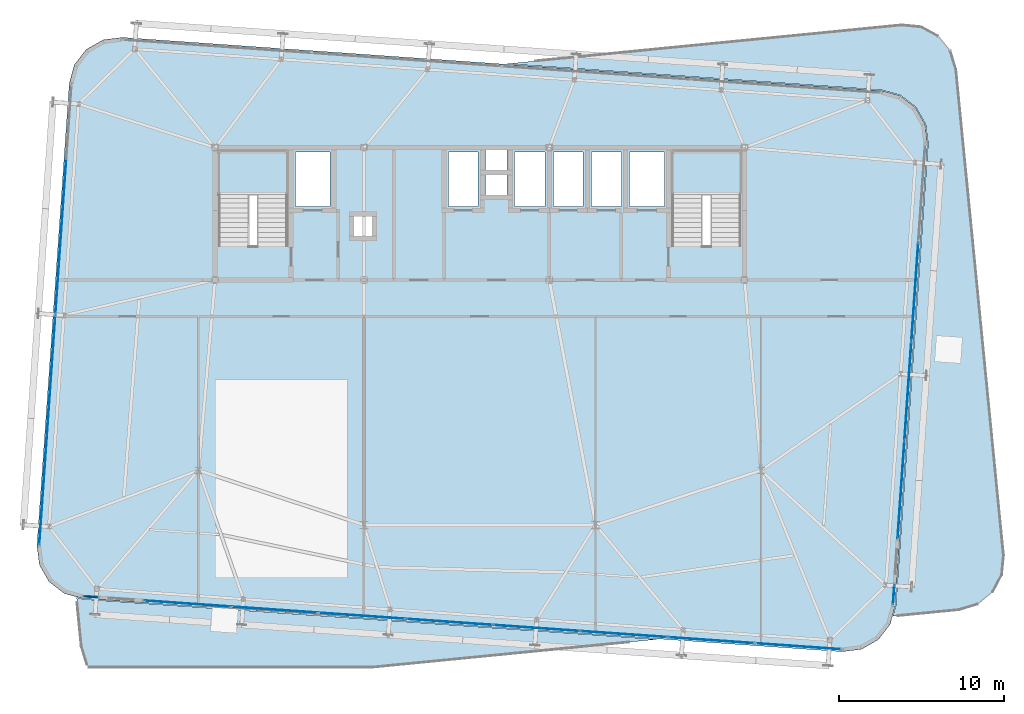
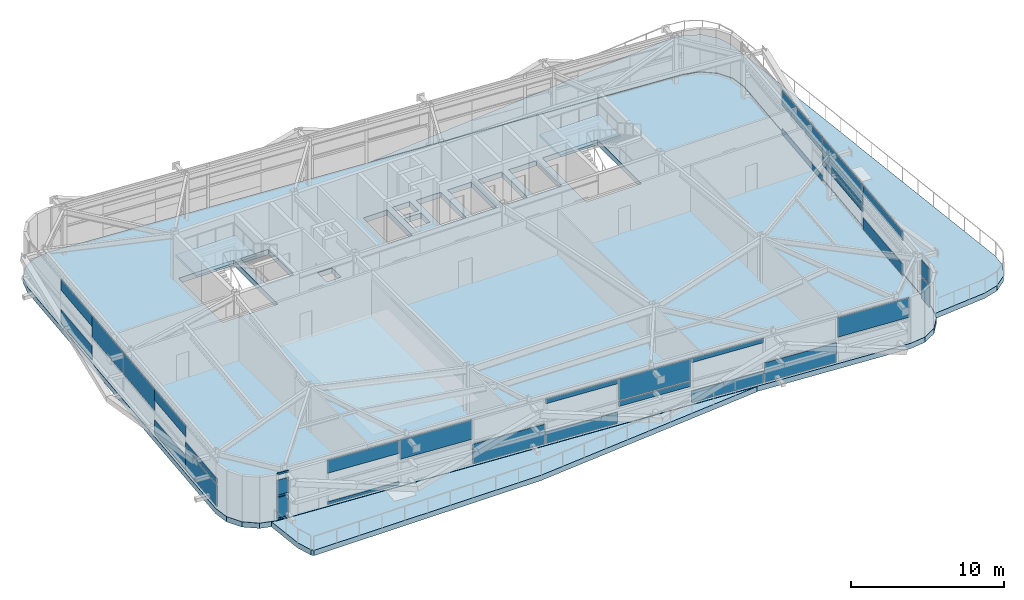
# One storey, part 23 of 36: 30 plates, 5 slabs, 4 members, 12 elements without a shape of their own.
"""IFC4 building model written with IfcOpenShell, lengths in metres."""

from ifc_helpers import new_model, si_unit, direction, frame, origin, origin_2d, place, context, subcontext, project, spatial, polyline, rectangle, hollow_rectangle, outline, extrude, source, transform, mapped, material, layer, layer_set, material_profile, profile_set, type_object, element, aggregate, save


model = new_model("IFC4")

# Units and contexts
model_context = context("Model", 3, precision=1e-05, world=origin(), true_north=direction((0.0, 1.0)))
body_context = subcontext(model_context, "Body", "Model", "MODEL_VIEW")
ifc_project = project(units=[si_unit("LENGTHUNIT", "METRE"), si_unit("AREAUNIT", "SQUARE_METRE"), si_unit("VOLUMEUNIT", "CUBIC_METRE"), si_unit("PLANEANGLEUNIT", "RADIAN"), si_unit("MASSUNIT", "GRAM", prefix="KILO")], contexts=[model_context])

# Site, building, storey
site_placement = place(None, origin())
site = spatial("IfcSite", under=ifc_project, at=site_placement, CompositionType="ELEMENT")
building_placement = place(site_placement, origin())
building = spatial("IfcBuilding", under=site, at=building_placement, Name="Taldren Reach Tower", CompositionType="ELEMENT")
storey_placement = place(building_placement, frame((0.0, 0.0, 116.550048828125)))
storey = spatial("IfcBuildingStorey", under=building, at=storey_placement, Name="L35", CompositionType="ELEMENT", Elevation=116.550048828125)

# Curtain wall, members
ifc_material_1 = material(Name="Aluminium and Low-E Glass Unitised System", Category="aluminium")
ifc_layer_1 = layer(ifc_material_1, 0.159912109375)
ifc_layer_set_1 = layer_set([ifc_layer_1], Name="Aluminium and Low-E Glass Unitised System")
curtain_wall_type = type_object("IfcCurtainWallType", Name="CW-SYS-7", PredefinedType="NOTDEFINED", material=ifc_layer_set_1)
curtain_wall_1_placement = place(storey_placement, origin())
curtain_wall_1 = element("IfcCurtainWall", 1, at=curtain_wall_1_placement, inside=storey, type_object=curtain_wall_type, Name="Unitised curtain wall CW-L35-S1", PredefinedType="NOTDEFINED")
ifc_material_2 = material(Name="Anodised Aluminium 6063-T6", Category="aluminium")
ifc_material_profile = material_profile(ifc_material_2, hollow_rectangle(XDim=0.06005859375, YDim=0.135009765625, WallThickness=0.00341796875, at=origin_2d()), Name="ALU-135x60x3.5RHS")
ifc_profile_set = profile_set([ifc_material_profile], Name="Anodised Aluminium 6063-T6")
member_type = type_object("IfcMemberType", Name="CW-TRN-150", PredefinedType="USERDEFINED", material=ifc_profile_set)
shared_shape_1 = source(origin(), body_context, "Body", "SweptSolid", [
    extrude(hollow_rectangle(XDim=0.06005859375, YDim=0.135009765625, WallThickness=0.00341796875, at=origin_2d()), origin(), (0.0, 0.0, 1.0), 0.800048828125),
])
member_1_placement = place(storey_placement, frame((11.104736328125, 4.880126953125, 0.030029296875), z_axis=(0.997576578794, -0.069577075548, 0.0), x_axis=(0.069577075548, 0.997576578794, 0.0)))
member_1 = element("IfcMember", 2, at=member_1_placement, type_object=member_type, Name="CW-7 transom 1.1", ObjectType="TRANSOM", PredefinedType="USERDEFINED", context=body_context, shape_type="MappedRepresentation", body=[
    mapped(shared_shape_1, transform((0.0, 0.0, 0.0), scale=1.0)),
])
member_2_placement = place(storey_placement, frame((11.104736328125, 4.880126953125, 1.784912109375), z_axis=(0.997576578794, -0.069577075548, 0.0), x_axis=(0.069577075548, 0.997576578794, 0.0)))
member_2 = element("IfcMember", 3, at=member_2_placement, type_object=member_type, Name="CW-7 transom 1.2", ObjectType="TRANSOM", PredefinedType="USERDEFINED", context=body_context, shape_type="MappedRepresentation", body=[
    mapped(shared_shape_1, transform((0.0, 0.0, 0.0), scale=1.0)),
])

curtain_wall_2_placement = place(storey_placement, origin())
curtain_wall_2 = element("IfcCurtainWall", 4, at=curtain_wall_2_placement, inside=storey, type_object=curtain_wall_type, Name="Unitised curtain wall CW-L35-S1-T2", PredefinedType="NOTDEFINED")
member_3_placement = place(storey_placement, frame((11.104736328125, 4.880126953125, 1.844970703125), z_axis=(0.997576578794, -0.069577075548, 0.0), x_axis=(0.069577075548, 0.997576578794, 0.0)))
member_3 = element("IfcMember", 5, at=member_3_placement, type_object=member_type, Name="CW-7 transom 1.1", ObjectType="TRANSOM", PredefinedType="USERDEFINED", context=body_context, shape_type="MappedRepresentation", body=[
    mapped(shared_shape_1, transform((0.0, 0.0, 0.0), scale=1.0)),
])
member_4_placement = place(storey_placement, frame((11.104736328125, 4.880126953125, 3.599853515625), z_axis=(0.997576578794, -0.069577075548, 0.0), x_axis=(0.069577075548, 0.997576578794, 0.0)))
member_4 = element("IfcMember", 6, at=member_4_placement, type_object=member_type, Name="CW-7 transom 1.2", ObjectType="TRANSOM", PredefinedType="USERDEFINED", context=body_context, shape_type="MappedRepresentation", body=[
    mapped(shared_shape_1, transform((0.0, 0.0, 0.0), scale=1.0)),
])

# Stair, slab
ifc_material_3 = material(Name="Concrete S50 (50 MPa)", Category="concrete")
stair_type = type_object("IfcStairType", Name="ST-HT-385", PredefinedType="HALF_TURN_STAIR", material=ifc_material_3)
stair_1_placement = place(storey_placement, origin())
stair_1 = element("IfcStair", 7, at=stair_1_placement, inside=storey, type_object=stair_type, Name="Fire-isolated exit stair ST1 L35", PredefinedType="HALF_TURN_STAIR")
ifc_layer_2 = layer(ifc_material_3, 0.179931640625)
ifc_layer_set_2 = layer_set([ifc_layer_2], Name="Concrete S50 (50 MPa)")
slab_type_1 = type_object("IfcSlabType", Name="SL-LAND-180", PredefinedType="LANDING", material=ifc_layer_set_2)
slab_1_placement = place(storey_placement, frame((0.0, 0.0, 1.744873046875)))
slab_1 = element("IfcSlab", 8, at=slab_1_placement, type_object=slab_type_1, Name="ST1 landing 1", PredefinedType="LANDING", context=body_context, shape_type="SweptSolid", body=[
    extrude(outline(polyline([(19.0400390625, 29.135009765625), (23.56005859375, 29.135009765625), (23.56005859375, 31.8701171875), (19.0400390625, 31.8701171875), (19.0400390625, 29.135009765625)])), origin(), (0.0, 0.0, 1.0), 0.18017578125),
])
aggregate(stair_1, [slab_1])

stair_2_placement = place(storey_placement, origin())
stair_2 = element("IfcStair", 9, at=stair_2_placement, inside=storey, type_object=stair_type, Name="Fire-isolated exit stair ST2 L35", PredefinedType="HALF_TURN_STAIR")
slab_2_placement = place(storey_placement, frame((0.0, 0.0, 1.744873046875)))
slab_2 = element("IfcSlab", 10, at=slab_2_placement, type_object=slab_type_1, Name="ST2 landing 1", PredefinedType="LANDING", context=body_context, shape_type="SweptSolid", body=[
    extrude(outline(polyline([(46.43994140625, 29.135009765625), (50.9599609375, 29.135009765625), (50.9599609375, 31.8701171875), (46.43994140625, 31.8701171875), (46.43994140625, 29.135009765625)])), origin(), (0.0, 0.0, 1.0), 0.18017578125),
])
aggregate(stair_2, [slab_2])

# Slabs
ifc_layer_3 = layer(ifc_material_3, 0.419921875)
ifc_layer_set_3 = layer_set([ifc_layer_3], Name="Concrete S50 (50 MPa)")
slab_type_2 = type_object("IfcSlabType", Name="SL-TERR-420", PredefinedType="FLOOR", material=ifc_layer_set_3)
slab_3_placement = place(storey_placement, frame((0.0, 0.0, -0.420166015625)))
element("IfcSlab", 11, at=slab_3_placement, inside=storey, type_object=slab_type_2, Name="Planted setback sky terrace L35-1", PredefinedType="FLOOR", context=body_context, shape_type="SweptSolid", body=[
    extrude(outline(polyline([(61.663330078125, 39.28955078125), (62.695556640625, 38.7373046875), (63.437744140625, 37.832275390625), (63.777099609375, 36.7119140625), (66.65576171875, 7.352783203125), (66.54052734375, 6.187744140625), (65.98828125, 5.15576171875), (65.0830078125, 4.41357421875), (63.962890625, 4.07421875), (59.96728515625, 3.6826171875), (60.138916015625, 4.3125), (60.1396484375, 4.3154296875), (60.139892578125, 4.318359375), (62.09326171875, 32.250244140625), (62.09326171875, 32.253173828125), (62.093017578125, 32.256103515625), (61.9453125, 33.417236328125), (61.94482421875, 33.420166015625), (61.944091796875, 33.4228515625), (61.94287109375, 33.42578125), (61.941650390625, 33.42822265625), (61.36083984375, 34.444580078125), (61.359130859375, 34.447021484375), (61.357421875, 34.449462890625), (61.355224609375, 34.451416015625), (61.35302734375, 34.453369140625), (60.427490234375, 35.169921875), (60.425048828125, 35.171630859375), (60.422607421875, 35.173095703125), (60.419921875, 35.17431640625), (60.4169921875, 35.17529296875), (59.287841796875, 35.483154296875), (59.284912109375, 35.48388671875), (59.281982421875, 35.484130859375), (36.6513671875, 37.066650390625), (60.448974609375, 39.39990234375), (60.547607421875, 39.39990234375), (61.663330078125, 39.28955078125)])), origin(), (0.0, 0.0, 1.0), 0.420166015625),
])
slab_4_placement = place(storey_placement, frame((0.0, 0.0, -0.420166015625)))
element("IfcSlab", 12, at=slab_4_placement, inside=storey, type_object=slab_type_2, Name="Planted setback sky terrace L35-2", PredefinedType="FLOOR", context=body_context, shape_type="SweptSolid", body=[
    extrude(outline(polyline([(11.26220703125, 0.767822265625), (10.923095703125, 1.88818359375), (10.635498046875, 4.819580078125), (11.01220703125, 4.716796875), (11.01513671875, 4.71630859375), (11.01806640625, 4.7158203125), (45.7421875, 2.287841796875), (28.529296875, 0.60009765625), (11.39990234375, 0.60009765625), (11.26220703125, 0.767822265625)])), origin(), (0.0, 0.0, 1.0), 0.420166015625),
])
ifc_material_4 = material(Name="Concrete S65 (65 MPa)", Category="concrete")
ifc_layer_4 = layer(ifc_material_4, 0.419921875)
ifc_layer_set_4 = layer_set([ifc_layer_4], Name="Concrete S65 (65 MPa)")
slab_type_3 = type_object("IfcSlabType", Name="SL-TRANS-420", PredefinedType="FLOOR", material=ifc_layer_set_4)
slab_5_placement = place(storey_placement, frame((0.0, 0.0, -0.420166015625)))
element("IfcSlab", 13, at=slab_5_placement, inside=storey, type_object=slab_type_3, Name="Suspended floor slab L35", PredefinedType="FLOOR", context=body_context, shape_type="SweptSolid", body=[
    extrude(outline(polyline([(56.908203125, 1.537109375), (58.0693359375, 1.684814453125), (59.08544921875, 2.265625), (59.80224609375, 3.191162109375), (60.110107421875, 4.320556640625), (62.063232421875, 32.252197265625), (61.91552734375, 33.413330078125), (61.334716796875, 34.4296875), (60.4091796875, 35.146240234375), (59.27978515625, 35.4541015625), (13.391845703125, 38.6630859375), (12.230712890625, 38.515380859375), (11.21435546875, 37.934326171875), (10.497802734375, 37.0087890625), (10.18994140625, 35.879638671875), (8.23681640625, 7.94775390625), (8.384521484375, 6.78662109375), (8.96533203125, 5.770263671875), (9.890869140625, 5.0537109375), (11.020263671875, 4.745849609375), (56.908203125, 1.537109375)]), holes=[polyline([(19.219970703125, 26.050048828125), (23.3798828125, 26.050048828125), (23.3798828125, 31.820068359375), (19.219970703125, 31.820068359375), (19.219970703125, 26.050048828125)]), polyline([(46.6201171875, 26.050048828125), (50.780029296875, 26.050048828125), (50.780029296875, 31.820068359375), (46.6201171875, 31.820068359375), (46.6201171875, 26.050048828125)]), polyline([(23.85009765625, 28.449951171875), (25.949951171875, 28.449951171875), (25.949951171875, 31.75), (23.85009765625, 31.75), (23.85009765625, 28.449951171875)]), polyline([(44.050048828125, 28.449951171875), (46.14990234375, 28.449951171875), (46.14990234375, 31.75), (44.050048828125, 31.75), (44.050048828125, 28.449951171875)]), polyline([(33.10009765625, 28.449951171875), (34.89990234375, 28.449951171875), (34.89990234375, 31.75), (33.10009765625, 31.75), (33.10009765625, 28.449951171875)]), polyline([(37.10009765625, 28.449951171875), (38.949951171875, 28.449951171875), (38.949951171875, 31.75), (37.10009765625, 31.75), (37.10009765625, 28.449951171875)]), polyline([(39.449951171875, 28.449951171875), (41.25, 28.449951171875), (41.25, 31.75), (39.449951171875, 31.75), (39.449951171875, 28.449951171875)]), polyline([(41.75, 28.449951171875), (43.550048828125, 28.449951171875), (43.550048828125, 31.75), (41.75, 31.75), (41.75, 28.449951171875)]), polyline([(35.35009765625, 30.64990234375), (36.64990234375, 30.64990234375), (36.64990234375, 31.85009765625), (35.35009765625, 31.85009765625), (35.35009765625, 30.64990234375)]), polyline([(35.35009765625, 29.14990234375), (36.64990234375, 29.14990234375), (36.64990234375, 30.35009765625), (35.35009765625, 30.35009765625), (35.35009765625, 29.14990234375)]), polyline([(27.39990234375, 26.64990234375), (28.5, 26.64990234375), (28.5, 27.85009765625), (27.39990234375, 27.85009765625), (27.39990234375, 26.64990234375)])]), origin(), (0.0, 0.0, 1.0), 0.420166015625),
])

# Plate
ifc_material_5 = material(Name="Acoustic Triple-Laminated IGU", Category="glass")
ifc_layer_5 = layer(ifc_material_5, 0.035888671875)
ifc_layer_set_5 = layer_set([ifc_layer_5], Name="Acoustic Triple-Laminated IGU")
plate_type = type_object("IfcPlateType", Name="CW-PNL-IGU36", PredefinedType="CURTAIN_PANEL", material=ifc_layer_set_5)
shared_shape_2 = source(origin(), body_context, "Body", "SweptSolid", [
    extrude(rectangle(XDim=0.800048828125, YDim=0.035888671875, at=origin_2d()), origin(), (0.0, 0.0, 1.0), 1.695068359375),
])
plate_1_placement = place(storey_placement, frame((11.503662109375, 4.852294921875, 0.06005859375), z_axis=(0.0, 0.0, 1.0), x_axis=(0.997563972646, -0.069757583664, 0.0)))
plate_1 = element("IfcPlate", 14, at=plate_1_placement, type_object=plate_type, Name="CW-7 panel 1.1", PredefinedType="CURTAIN_PANEL", context=body_context, shape_type="MappedRepresentation", body=[
    mapped(shared_shape_2, transform((0.0, 0.0, 0.0), scale=1.0)),
])

aggregate(curtain_wall_1, [member_1, member_2, plate_1])

# Curtain wall, plate
curtain_wall_3_placement = place(storey_placement, origin())
curtain_wall_3 = element("IfcCurtainWall", 15, at=curtain_wall_3_placement, inside=storey, type_object=curtain_wall_type, Name="Unitised curtain wall CW-L35-S2-T2", PredefinedType="NOTDEFINED")
shared_shape_3 = source(origin(), body_context, "Body", "SweptSolid", [
    extrude(rectangle(XDim=5.21875, YDim=0.035888671875, at=origin_2d()), origin(), (0.0, 0.0, 1.0), 1.695068359375),
])
plate_2_placement = place(storey_placement, frame((38.434814453125, 2.96923828125, 1.875), z_axis=(0.0, 0.0, 1.0), x_axis=(0.997564045061, -0.069756548088, 0.0)))
plate_2 = element("IfcPlate", 16, at=plate_2_placement, type_object=plate_type, Name="CW-7 panel 5.1", PredefinedType="CURTAIN_PANEL", context=body_context, shape_type="MappedRepresentation", body=[
    mapped(shared_shape_3, transform((0.0, 0.0, 0.0), scale=1.0)),
])

curtain_wall_4_placement = place(storey_placement, origin())
curtain_wall_4 = element("IfcCurtainWall", 17, at=curtain_wall_4_placement, inside=storey, type_object=curtain_wall_type, Name="Unitised curtain wall CW-L35-E1", PredefinedType="NOTDEFINED")
shared_shape_4 = source(origin(), body_context, "Body", "SweptSolid", [
    extrude(rectangle(XDim=1.159912109375, YDim=0.035888671875, at=origin_2d()), origin(), (0.0, 0.0, 1.0), 1.695068359375),
])
plate_3_placement = place(storey_placement, frame((60.01611328125, 4.983642578125, 0.06005859375), z_axis=(0.0, 0.0, 1.0), x_axis=(0.069755670707, 0.997564106413, 0.0)))
plate_3 = element("IfcPlate", 18, at=plate_3_placement, type_object=plate_type, Name="CW-7 panel 1.1", PredefinedType="CURTAIN_PANEL", context=body_context, shape_type="MappedRepresentation", body=[
    mapped(shared_shape_4, transform((0.0, 0.0, 0.0), scale=1.0)),
])
aggregate(curtain_wall_4, [plate_3])

curtain_wall_5_placement = place(storey_placement, origin())
curtain_wall_5 = element("IfcCurtainWall", 19, at=curtain_wall_5_placement, inside=storey, type_object=curtain_wall_type, Name="Unitised curtain wall CW-L35-E2-T2", PredefinedType="NOTDEFINED")
shared_shape_5 = source(origin(), body_context, "Body", "SweptSolid", [
    extrude(rectangle(XDim=5.922607421875, YDim=0.035888671875, at=origin_2d()), origin(), (0.0, 0.0, 1.0), 1.695068359375),
])
plate_4_placement = place(storey_placement, frame((60.877685546875, 17.3046875, 1.875), z_axis=(0.0, 0.0, 1.0), x_axis=(0.069756569329, 0.997564043576, 0.0)))
plate_4 = element("IfcPlate", 20, at=plate_4_placement, type_object=plate_type, Name="CW-7 panel 2.1", PredefinedType="CURTAIN_PANEL", context=body_context, shape_type="MappedRepresentation", body=[
    mapped(shared_shape_5, transform((0.0, 0.0, 0.0), scale=1.0)),
])

# Plate
shared_shape_6 = source(origin(), body_context, "Body", "SweptSolid", [
    extrude(rectangle(XDim=0.800048828125, YDim=0.035888671875, at=origin_2d()), origin(), (0.0, 0.0, 1.0), 1.226318359375),
])
plate_5_placement = place(storey_placement, frame((11.503662109375, 4.852294921875, 1.875), z_axis=(0.0, 0.0, 1.0), x_axis=(0.997563972646, -0.069757583664, 0.0)))
plate_5 = element("IfcPlate", 21, at=plate_5_placement, type_object=plate_type, Name="CW-7 panel 1.1 part 1", PredefinedType="CURTAIN_PANEL", context=body_context, shape_type="MappedRepresentation", body=[
    mapped(shared_shape_6, transform((0.0, 0.0, 0.0), scale=1.0)),
])

aggregate(curtain_wall_2, [member_3, member_4, plate_5])

# Curtain wall, plates
curtain_wall_6_placement = place(storey_placement, origin())
curtain_wall_6 = element("IfcCurtainWall", 22, at=curtain_wall_6_placement, inside=storey, type_object=curtain_wall_type, Name="Unitised curtain wall CW-L35-S2", PredefinedType="NOTDEFINED")
shared_shape_7 = source(origin(), body_context, "Body", "SweptSolid", [
    extrude(rectangle(XDim=5.18115234375, YDim=0.035888671875, at=origin_2d()), origin(), (0.0, 0.0, 1.0), 0.21044921875),
])
plate_6_placement = place(storey_placement, frame((17.330078125, 4.44482421875, 0.059814453125), z_axis=(0.0, 0.0, 1.0), x_axis=(0.997564045061, -0.069756548088, 0.0)))
plate_6 = element("IfcPlate", 23, at=plate_6_placement, type_object=plate_type, Name="CW-7 panel 1.1 part 1", PredefinedType="CURTAIN_PANEL", context=body_context, shape_type="MappedRepresentation", body=[
    mapped(shared_shape_7, transform((0.0, 0.0, 0.0), scale=1.0)),
])
shared_shape_8 = source(origin(), body_context, "Body", "SweptSolid", [
    extrude(rectangle(XDim=5.21875, YDim=0.035888671875, at=origin_2d()), origin(), (0.0, 0.0, 1.0), 1.557373046875),
])
plate_7_placement = place(storey_placement, frame((27.873291015625, 3.707763671875, 0.06005859375), z_axis=(0.0, 0.0, 1.0), x_axis=(0.997564045061, -0.069756548088, 0.0)))
plate_7 = element("IfcPlate", 24, at=plate_7_placement, type_object=plate_type, Name="CW-7 panel 3.1 part 1", PredefinedType="CURTAIN_PANEL", context=body_context, shape_type="MappedRepresentation", body=[
    mapped(shared_shape_8, transform((0.0, 0.0, 0.0), scale=1.0)),
])
shared_shape_9 = source(origin(), body_context, "Body", "SweptSolid", [
    extrude(rectangle(XDim=5.21875, YDim=0.035888671875, at=origin_2d()), origin(), (0.0, 0.0, 1.0), 0.87255859375),
])
plate_8_placement = place(storey_placement, frame((33.154052734375, 3.33837890625, 0.06005859375), z_axis=(0.0, 0.0, 1.0), x_axis=(0.997564045061, -0.069756548088, 0.0)))
plate_8 = element("IfcPlate", 25, at=plate_8_placement, type_object=plate_type, Name="CW-7 panel 4.1 part 1", PredefinedType="CURTAIN_PANEL", context=body_context, shape_type="MappedRepresentation", body=[
    mapped(shared_shape_9, transform((0.0, 0.0, 0.0), scale=1.0)),
])
shared_shape_10 = source(origin(), body_context, "Body", "SweptSolid", [
    extrude(rectangle(XDim=5.21875, YDim=0.035888671875, at=origin_2d()), origin(), (0.0, 0.0, 1.0), 0.381591796875),
])
plate_9_placement = place(storey_placement, frame((38.434814453125, 2.96923828125, 1.37353515625), z_axis=(0.0, 0.0, 1.0), x_axis=(0.997564045061, -0.069756548088, 0.0)))
plate_9 = element("IfcPlate", 26, at=plate_9_placement, type_object=plate_type, Name="CW-7 panel 5.1 part 1", PredefinedType="CURTAIN_PANEL", context=body_context, shape_type="MappedRepresentation", body=[
    mapped(shared_shape_10, transform((0.0, 0.0, 0.0), scale=1.0)),
])
shared_shape_11 = source(origin(), body_context, "Body", "SweptSolid", [
    extrude(rectangle(XDim=5.21875, YDim=0.035888671875, at=origin_2d()), origin(), (0.0, 0.0, 1.0), 0.89501953125),
])
plate_10_placement = place(storey_placement, frame((43.7158203125, 2.599853515625, 0.06005859375), z_axis=(0.0, 0.0, 1.0), x_axis=(0.997564045061, -0.069756548088, 0.0)))
plate_10 = element("IfcPlate", 27, at=plate_10_placement, type_object=plate_type, Name="CW-7 panel 6.1 part 1", PredefinedType="CURTAIN_PANEL", context=body_context, shape_type="MappedRepresentation", body=[
    mapped(shared_shape_11, transform((0.0, 0.0, 0.0), scale=1.0)),
])
shared_shape_12 = source(origin(), body_context, "Body", "SweptSolid", [
    extrude(rectangle(XDim=5.21875, YDim=0.035888671875, at=origin_2d()), origin(), (0.0, 0.0, 1.0), 1.534912109375),
])
plate_11_placement = place(storey_placement, frame((48.99658203125, 2.23046875, 0.06005859375), z_axis=(0.0, 0.0, 1.0), x_axis=(0.997564045061, -0.069756548088, 0.0)))
plate_11 = element("IfcPlate", 28, at=plate_11_placement, type_object=plate_type, Name="CW-7 panel 7.1 part 1", PredefinedType="CURTAIN_PANEL", context=body_context, shape_type="MappedRepresentation", body=[
    mapped(shared_shape_12, transform((0.0, 0.0, 0.0), scale=1.0)),
])
aggregate(curtain_wall_6, [plate_6, plate_7, plate_8, plate_9, plate_10, plate_11])

# Plate
shared_shape_13 = source(origin(), body_context, "Body", "SweptSolid", [
    extrude(rectangle(XDim=5.18115234375, YDim=0.035888671875, at=origin_2d()), origin(), (0.0, 0.0, 1.0), 1.028564453125),
])
plate_12_placement = place(storey_placement, frame((17.330078125, 4.44482421875, 2.54150390625), z_axis=(0.0, 0.0, 1.0), x_axis=(0.997564045061, -0.069756548088, 0.0)))
plate_12 = element("IfcPlate", 29, at=plate_12_placement, type_object=plate_type, Name="CW-7 panel 1.1 part 1", PredefinedType="CURTAIN_PANEL", context=body_context, shape_type="MappedRepresentation", body=[
    mapped(shared_shape_13, transform((0.0, 0.0, 0.0), scale=1.0)),
])

shared_shape_14 = source(origin(), body_context, "Body", "SweptSolid", [
    extrude(rectangle(XDim=5.21875, YDim=0.035888671875, at=origin_2d()), origin(), (0.0, 0.0, 1.0), 1.534423828125),
])
plate_13_placement = place(storey_placement, frame((22.59228515625, 4.076904296875, 2.03564453125), z_axis=(0.0, 0.0, 1.0), x_axis=(0.997564045061, -0.069756548088, 0.0)))
plate_13 = element("IfcPlate", 30, at=plate_13_placement, type_object=plate_type, Name="CW-7 panel 2.1 part 1", PredefinedType="CURTAIN_PANEL", context=body_context, shape_type="MappedRepresentation", body=[
    mapped(shared_shape_14, transform((0.0, 0.0, 0.0), scale=1.0)),
])

shared_shape_15 = source(origin(), body_context, "Body", "SweptSolid", [
    extrude(rectangle(XDim=5.21875, YDim=0.035888671875, at=origin_2d()), origin(), (0.0, 0.0, 1.0), 0.353271484375),
])
plate_14_placement = place(storey_placement, frame((33.154052734375, 3.33837890625, 3.216796875), z_axis=(0.0, 0.0, 1.0), x_axis=(0.997564045061, -0.069756548088, 0.0)))
plate_14 = element("IfcPlate", 31, at=plate_14_placement, type_object=plate_type, Name="CW-7 panel 4.1 part 1", PredefinedType="CURTAIN_PANEL", context=body_context, shape_type="MappedRepresentation", body=[
    mapped(shared_shape_15, transform((0.0, 0.0, 0.0), scale=1.0)),
])

shared_shape_16 = source(origin(), body_context, "Body", "SweptSolid", [
    extrude(rectangle(XDim=5.21875, YDim=0.035888671875, at=origin_2d()), origin(), (0.0, 0.0, 1.0), 0.330810546875),
])
plate_15_placement = place(storey_placement, frame((43.7158203125, 2.599853515625, 3.2392578125), z_axis=(0.0, 0.0, 1.0), x_axis=(0.997564045061, -0.069756548088, 0.0)))
plate_15 = element("IfcPlate", 32, at=plate_15_placement, type_object=plate_type, Name="CW-7 panel 6.1 part 1", PredefinedType="CURTAIN_PANEL", context=body_context, shape_type="MappedRepresentation", body=[
    mapped(shared_shape_16, transform((0.0, 0.0, 0.0), scale=1.0)),
])

shared_shape_17 = source(origin(), body_context, "Body", "SweptSolid", [
    extrude(rectangle(XDim=5.18115234375, YDim=0.035888671875, at=origin_2d()), origin(), (0.0, 0.0, 1.0), 1.556884765625),
])
plate_16_placement = place(storey_placement, frame((54.2587890625, 1.862548828125, 2.01318359375), z_axis=(0.0, 0.0, 1.0), x_axis=(0.997564045061, -0.069756548088, 0.0)))
plate_16 = element("IfcPlate", 33, at=plate_16_placement, type_object=plate_type, Name="CW-7 panel 8.1 part 1", PredefinedType="CURTAIN_PANEL", context=body_context, shape_type="MappedRepresentation", body=[
    mapped(shared_shape_17, transform((0.0, 0.0, 0.0), scale=1.0)),
])

aggregate(curtain_wall_3, [plate_2, plate_12, plate_13, plate_14, plate_15, plate_16])

# Curtain wall, plate
curtain_wall_7_placement = place(storey_placement, origin())
curtain_wall_7 = element("IfcCurtainWall", 34, at=curtain_wall_7_placement, inside=storey, type_object=curtain_wall_type, Name="Unitised curtain wall CW-L35-W", PredefinedType="NOTDEFINED")
shared_shape_18 = source(origin(), body_context, "Body", "SweptSolid", [
    extrude(rectangle(XDim=4.629150390625, YDim=0.035888671875, at=origin_2d()), origin(), (0.0, 0.0, 1.0), 1.695068359375),
])
plate_17_placement = place(storey_placement, frame((8.54296875, 10.32177734375, 0.06005859375), z_axis=(0.0, 0.0, 1.0), x_axis=(-0.069756437251, -0.997564052812, 0.0)))
plate_17 = element("IfcPlate", 35, at=plate_17_placement, type_object=plate_type, Name="CW-7 panel 2.1 part 2", PredefinedType="CURTAIN_PANEL", context=body_context, shape_type="MappedRepresentation", body=[
    mapped(shared_shape_18, transform((0.0, 0.0, 0.0), scale=1.0)),
])

# Curtain wall, plates
curtain_wall_8_placement = place(storey_placement, origin())
curtain_wall_8 = element("IfcCurtainWall", 36, at=curtain_wall_8_placement, inside=storey, type_object=curtain_wall_type, Name="Unitised curtain wall CW-L35-W-T2", PredefinedType="NOTDEFINED")
plate_18_placement = place(storey_placement, frame((9.51708984375, 24.250244140625, 1.875), z_axis=(0.0, 0.0, 1.0), x_axis=(-0.069756437251, -0.997564052812, 0.0)))
plate_18 = element("IfcPlate", 37, at=plate_18_placement, type_object=plate_type, Name="CW-7 panel 1.1 part 3", PredefinedType="CURTAIN_PANEL", context=body_context, shape_type="MappedRepresentation", body=[
    mapped(shared_shape_18, transform((0.0, 0.0, 0.0), scale=1.0)),
])
plate_19_placement = place(storey_placement, frame((9.18896484375, 19.5576171875, 1.875), z_axis=(0.0, 0.0, 1.0), x_axis=(-0.069756437251, -0.997564052812, 0.0)))
plate_19 = element("IfcPlate", 38, at=plate_19_placement, type_object=plate_type, Name="CW-7 panel 2.1 part 1", PredefinedType="CURTAIN_PANEL", context=body_context, shape_type="MappedRepresentation", body=[
    mapped(shared_shape_18, transform((0.0, 0.0, 0.0), scale=1.0)),
])

# Plate
shared_shape_19 = source(origin(), body_context, "Body", "SweptSolid", [
    extrude(rectangle(XDim=4.629150390625, YDim=0.035888671875, at=origin_2d()), origin(), (0.0, 0.0, 1.0), 1.085205078125),
])
plate_20_placement = place(storey_placement, frame((9.840087890625, 28.8681640625, 0.06005859375), z_axis=(0.0, 0.0, 1.0), x_axis=(-0.069756437251, -0.997564052812, 0.0)))
plate_20 = element("IfcPlate", 39, at=plate_20_placement, type_object=plate_type, Name="CW-7 panel 1.1 part 2", PredefinedType="CURTAIN_PANEL", context=body_context, shape_type="MappedRepresentation", body=[
    mapped(shared_shape_19, transform((0.0, 0.0, 0.0), scale=1.0)),
])

plate_21_placement = place(storey_placement, frame((8.865966796875, 14.939697265625, 0.06005859375), z_axis=(0.0, 0.0, 1.0), x_axis=(-0.069756437251, -0.997564052812, 0.0)))
plate_21 = element("IfcPlate", 40, at=plate_21_placement, type_object=plate_type, Name="CW-7 panel 2.1 part 1", PredefinedType="CURTAIN_PANEL", context=body_context, shape_type="MappedRepresentation", body=[
    mapped(shared_shape_19, transform((0.0, 0.0, 0.0), scale=1.0)),
])

aggregate(curtain_wall_7, [plate_20, plate_21, plate_17])

shared_shape_20 = source(origin(), body_context, "Body", "SweptSolid", [
    extrude(rectangle(XDim=4.629150390625, YDim=0.035888671875, at=origin_2d()), origin(), (0.0, 0.0, 1.0), 0.402099609375),
])
plate_22_placement = place(storey_placement, frame((8.54296875, 10.32177734375, 1.875), z_axis=(0.0, 0.0, 1.0), x_axis=(-0.069756437251, -0.997564052812, 0.0)))
plate_22 = element("IfcPlate", 41, at=plate_22_placement, type_object=plate_type, Name="CW-7 panel 2.1 part 3", PredefinedType="CURTAIN_PANEL", context=body_context, shape_type="MappedRepresentation", body=[
    mapped(shared_shape_20, transform((0.0, 0.0, 0.0), scale=1.0)),
])

shared_shape_21 = source(origin(), body_context, "Body", "SweptSolid", [
    extrude(rectangle(XDim=4.629150390625, YDim=0.035888671875, at=origin_2d()), origin(), (0.0, 0.0, 1.0), 0.86083984375),
])
plate_23_placement = place(storey_placement, frame((9.840087890625, 28.8681640625, 2.709228515625), z_axis=(0.0, 0.0, 1.0), x_axis=(-0.069756437251, -0.997564052812, 0.0)))
plate_23 = element("IfcPlate", 42, at=plate_23_placement, type_object=plate_type, Name="CW-7 panel 1.1 part 2", PredefinedType="CURTAIN_PANEL", context=body_context, shape_type="MappedRepresentation", body=[
    mapped(shared_shape_21, transform((0.0, 0.0, 0.0), scale=1.0)),
])

plate_24_placement = place(storey_placement, frame((8.865966796875, 14.939697265625, 2.709228515625), z_axis=(0.0, 0.0, 1.0), x_axis=(-0.069756437251, -0.997564052812, 0.0)))
plate_24 = element("IfcPlate", 43, at=plate_24_placement, type_object=plate_type, Name="CW-7 panel 2.1 part 2", PredefinedType="CURTAIN_PANEL", context=body_context, shape_type="MappedRepresentation", body=[
    mapped(shared_shape_21, transform((0.0, 0.0, 0.0), scale=1.0)),
])

aggregate(curtain_wall_8, [plate_23, plate_18, plate_19, plate_24, plate_22])

# Curtain wall, plate
curtain_wall_9_placement = place(storey_placement, origin())
curtain_wall_9 = element("IfcCurtainWall", 44, at=curtain_wall_9_placement, inside=storey, type_object=curtain_wall_type, Name="Unitised curtain wall CW-L35-E1-T2", PredefinedType="NOTDEFINED")
shared_shape_22 = source(origin(), body_context, "Body", "SweptSolid", [
    extrude(rectangle(XDim=1.159912109375, YDim=0.035888671875, at=origin_2d()), origin(), (0.0, 0.0, 1.0), 1.25048828125),
])
plate_25_placement = place(storey_placement, frame((60.01611328125, 4.983642578125, 1.875), z_axis=(0.0, 0.0, 1.0), x_axis=(0.069755670707, 0.997564106413, 0.0)))
plate_25 = element("IfcPlate", 45, at=plate_25_placement, type_object=plate_type, Name="CW-7 panel 1.1 part 1", PredefinedType="CURTAIN_PANEL", context=body_context, shape_type="MappedRepresentation", body=[
    mapped(shared_shape_22, transform((0.0, 0.0, 0.0), scale=1.0)),
])
aggregate(curtain_wall_9, [plate_25])

# Curtain wall, plates
curtain_wall_10_placement = place(storey_placement, origin())
curtain_wall_10 = element("IfcCurtainWall", 46, at=curtain_wall_10_placement, inside=storey, type_object=curtain_wall_type, Name="Unitised curtain wall CW-L35-E2", PredefinedType="NOTDEFINED")
shared_shape_23 = source(origin(), body_context, "Body", "SweptSolid", [
    extrude(rectangle(XDim=5.885009765625, YDim=0.035888671875, at=origin_2d()), origin(), (0.0, 0.0, 1.0), 0.929443359375),
])
plate_26_placement = place(storey_placement, frame((60.460693359375, 11.340576171875, 0.06005859375), z_axis=(0.0, 0.0, 1.0), x_axis=(0.069756569329, 0.997564043576, 0.0)))
plate_26 = element("IfcPlate", 47, at=plate_26_placement, type_object=plate_type, Name="CW-7 panel 1.1 part 1", PredefinedType="CURTAIN_PANEL", context=body_context, shape_type="MappedRepresentation", body=[
    mapped(shared_shape_23, transform((0.0, 0.0, 0.0), scale=1.0)),
])
shared_shape_24 = source(origin(), body_context, "Body", "SweptSolid", [
    extrude(rectangle(XDim=5.922607421875, YDim=0.035888671875, at=origin_2d()), origin(), (0.0, 0.0, 1.0), 0.351806640625),
])
plate_27_placement = place(storey_placement, frame((60.877685546875, 17.3046875, 1.4033203125), z_axis=(0.0, 0.0, 1.0), x_axis=(0.069756569329, 0.997564043576, 0.0)))
plate_27 = element("IfcPlate", 48, at=plate_27_placement, type_object=plate_type, Name="CW-7 panel 2.1 part 1", PredefinedType="CURTAIN_PANEL", context=body_context, shape_type="MappedRepresentation", body=[
    mapped(shared_shape_24, transform((0.0, 0.0, 0.0), scale=1.0)),
])
shared_shape_25 = source(origin(), body_context, "Body", "SweptSolid", [
    extrude(rectangle(XDim=5.922607421875, YDim=0.035888671875, at=origin_2d()), origin(), (0.0, 0.0, 1.0), 0.443359375),
])
plate_28_placement = place(storey_placement, frame((61.296142578125, 23.28759765625, 0.06005859375), z_axis=(0.0, 0.0, 1.0), x_axis=(0.069756569329, 0.997564043576, 0.0)))
plate_28 = element("IfcPlate", 49, at=plate_28_placement, type_object=plate_type, Name="CW-7 panel 3.1 part 1", PredefinedType="CURTAIN_PANEL", context=body_context, shape_type="MappedRepresentation", body=[
    mapped(shared_shape_25, transform((0.0, 0.0, 0.0), scale=1.0)),
])
aggregate(curtain_wall_10, [plate_26, plate_27, plate_28])

# Plate
shared_shape_26 = source(origin(), body_context, "Body", "SweptSolid", [
    extrude(rectangle(XDim=5.885009765625, YDim=0.035888671875, at=origin_2d()), origin(), (0.0, 0.0, 1.0), 0.70947265625),
])
plate_29_placement = place(storey_placement, frame((60.460693359375, 11.340576171875, 2.860595703125), z_axis=(0.0, 0.0, 1.0), x_axis=(0.069756569329, 0.997564043576, 0.0)))
plate_29 = element("IfcPlate", 50, at=plate_29_placement, type_object=plate_type, Name="CW-7 panel 1.1 part 1", PredefinedType="CURTAIN_PANEL", context=body_context, shape_type="MappedRepresentation", body=[
    mapped(shared_shape_26, transform((0.0, 0.0, 0.0), scale=1.0)),
])

shared_shape_27 = source(origin(), body_context, "Body", "SweptSolid", [
    extrude(rectangle(XDim=5.922607421875, YDim=0.035888671875, at=origin_2d()), origin(), (0.0, 0.0, 1.0), 1.186279296875),
])
plate_30_placement = place(storey_placement, frame((61.296142578125, 23.28759765625, 2.3837890625), z_axis=(0.0, 0.0, 1.0), x_axis=(0.069756569329, 0.997564043576, 0.0)))
plate_30 = element("IfcPlate", 51, at=plate_30_placement, type_object=plate_type, Name="CW-7 panel 3.1 part 1", PredefinedType="CURTAIN_PANEL", context=body_context, shape_type="MappedRepresentation", body=[
    mapped(shared_shape_27, transform((0.0, 0.0, 0.0), scale=1.0)),
])

aggregate(curtain_wall_5, [plate_4, plate_29, plate_30])

save(model, "model.ifc")
